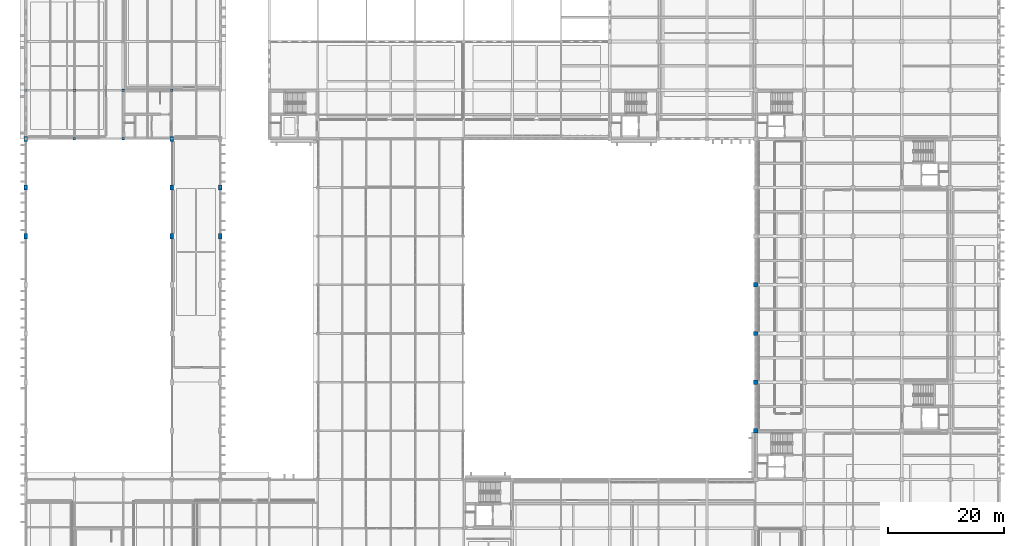
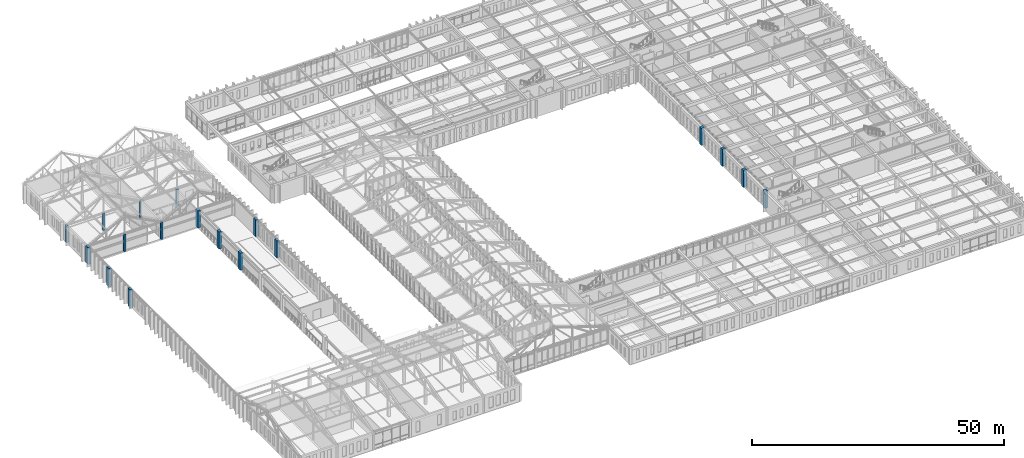
# One storey, part 8 of 192: 18 columns.
"""IFC4 building model written with IfcOpenShell, lengths in metres."""

import ifcopenshell
import ifcopenshell.guid

model = None  # the IFC model being written
_history = None  # IfcOwnerHistory: only IFC2X3 demands one
_inside = {}  # id of a spatial element -> (the spatial element, [elements in it])
_under = {}  # id of a project, library or spatial element -> (it, [spatial elements below it])
_declared = {}  # id of a project -> (the project, [libraries it declares])
_typed = {}  # id of a type object -> (the type object, [elements of that type])
_made_of = {}  # id of a material, layer set ... -> (it, [elements and type objects made of it])


def new_model(schema):
    """Start an empty IFC model of exactly this schema.

    Asked for "IFC4X3", IfcOpenShell would pick the latest addendum, in which some entities
    have other attributes; the version numbers below select the first issue.
    IFC2X3 requires an IfcOwnerHistory on every rooted entity: one is made here for all.
    """
    global model, _history
    if schema == "IFC4X3":
        model = ifcopenshell.file(schema_version=(4, 3, 0, 0))
    else:
        model = ifcopenshell.file(schema=schema)
    _inside.clear()
    _under.clear()
    _declared.clear()
    _typed.clear()
    _made_of.clear()
    _history = None
    if model.schema == "IFC2X3":
        org = make("IfcOrganization", Name="unknown")
        user = make(
            "IfcPersonAndOrganization",
            ThePerson=make("IfcPerson", FamilyName="unknown"),
            TheOrganization=org,
        )
        app = make(
            "IfcApplication",
            ApplicationDeveloper=org,
            Version="unknown",
            ApplicationFullName="unknown",
            ApplicationIdentifier="unknown",
        )
        _history = make(
            "IfcOwnerHistory",
            OwningUser=user,
            OwningApplication=app,
            ChangeAction="ADDED",
            CreationDate=0,
        )
    return model


def make(cls, **values):
    """One entity of the class cls with the attributes given. An attribute that is None is left unset."""
    return model.create_entity(
        cls, **{name: value for name, value in values.items() if value is not None}
    )


def rooted(cls, **values):
    """An entity with a GlobalId (a new one), such as an element, a storey or a relation."""
    return make(cls, GlobalId=ifcopenshell.guid.new(), OwnerHistory=_history, **values)


def si_unit(unit_type, name, prefix=None):
    """IfcSIUnit, for example si_unit("LENGTHUNIT", "METRE", prefix="MILLI")."""
    return make("IfcSIUnit", UnitType=unit_type, Prefix=prefix, Name=name)


def assignment(units):
    """IfcUnitAssignment: the units of a project."""
    return None if units is None else make("IfcUnitAssignment", Units=units)


def point(xyz):
    """IfcCartesianPoint."""
    return None if xyz is None else make("IfcCartesianPoint", Coordinates=xyz)


def direction(xyz):
    """IfcDirection."""
    return None if xyz is None else make("IfcDirection", DirectionRatios=xyz)


def frame(location, z_axis=None, x_axis=None):
    """IfcAxis2Placement3D, a coordinate frame: its origin and axes. An axis left out is left unset."""
    return make(
        "IfcAxis2Placement3D",
        Location=point(location),
        Axis=direction(z_axis),
        RefDirection=direction(x_axis),
    )


def frame_2d(location, x_axis=None):
    """IfcAxis2Placement2D, a coordinate frame in the plane: its origin and x axis."""
    return make(
        "IfcAxis2Placement2D", Location=point(location), RefDirection=direction(x_axis)
    )


def origin():
    """The frame at (0, 0, 0) with its axes left unset."""
    return frame((0.0, 0.0, 0.0))


def origin_2d():
    """The frame at (0, 0) in the plane with its x axis left unset."""
    return frame_2d((0.0, 0.0))


def place(relative_to, where):
    """IfcLocalPlacement: puts the frame where relative to a parent placement (None: the world)."""
    return make(
        "IfcLocalPlacement", PlacementRelTo=relative_to, RelativePlacement=where
    )


def context(
    kind, dimensions, precision=None, world=None, true_north=None, identifier=None
):
    """IfcGeometricRepresentationContext, for example the 3D "Model" context."""
    return make(
        "IfcGeometricRepresentationContext",
        ContextIdentifier=identifier,
        ContextType=kind,
        CoordinateSpaceDimension=dimensions,
        Precision=precision,
        WorldCoordinateSystem=world,
        TrueNorth=true_north,
    )


def subcontext(parent, identifier, kind, view, scale=None):
    """IfcGeometricRepresentationSubContext, for example "Body" below "Model"."""
    return make(
        "IfcGeometricRepresentationSubContext",
        ContextIdentifier=identifier,
        ContextType=kind,
        ParentContext=parent,
        TargetScale=scale,
        TargetView=view,
    )


def project(units=None, contexts=None):
    """IfcProject with its units and contexts."""
    return rooted(
        "IfcProject",
        Name="project",
        RepresentationContexts=contexts,
        UnitsInContext=assignment(units),
    )


def spatial(cls, under=None, at=None, **own):
    """A site, building, storey or space (cls), placed at a placement, below another one or the project."""
    s = rooted(cls, ObjectPlacement=at, **own)
    if under is not None:
        _under.setdefault(under.id(), (under, []))[1].append(s)
    return s


def profile(cls, at=None, kind="AREA", **sizes):
    """A parametric profile (cls). Its sizes go by their IFC names, for example OverallWidth=200.0."""
    return make(cls, ProfileType=kind, Position=at, **sizes)


def rectangle(**sizes):
    """IfcRectangleProfileDef."""
    return profile("IfcRectangleProfileDef", **sizes)


def extrude(swept, where, along, depth):
    """IfcExtrudedAreaSolid: the profile swept, set in the frame where, extruded along a direction by depth."""
    return make(
        "IfcExtrudedAreaSolid",
        SweptArea=swept,
        Position=where,
        ExtrudedDirection=direction(along),
        Depth=depth,
    )


def shape(context_of_items, identifier, shape_type, items):
    """IfcShapeRepresentation: the items that make up one representation, for example the "Body"."""
    return make(
        "IfcShapeRepresentation",
        ContextOfItems=context_of_items,
        RepresentationIdentifier=identifier,
        RepresentationType=shape_type,
        Items=items,
    )


def material(Name=None, Category=None):
    """IfcMaterial."""
    return make("IfcMaterial", Name=Name, Category=Category)


def material_profile(
    of_material, cross_section, Name=None, Category=None, Priority=None
):
    """IfcMaterialProfile: a cross section and its material."""
    return make(
        "IfcMaterialProfile",
        Name=Name,
        Material=of_material,
        Profile=cross_section,
        Priority=Priority,
        Category=Category,
    )


def profile_set(profiles, Name=None, composite=None):
    """IfcMaterialProfileSet."""
    return make(
        "IfcMaterialProfileSet",
        Name=Name,
        MaterialProfiles=profiles,
        CompositeProfile=composite,
    )


def made_of(thing, what):
    """Note that an element or type object is made of a material, layer set ...; save() writes the relation."""
    if what is not None:
        _made_of.setdefault(what.id(), (what, []))[1].append(thing)
    return thing


def type_object(cls, material=None, **own):
    """A type object (cls), such as IfcWallType, which elements share."""
    return made_of(rooted(cls, **own), material)


def element(
    cls,
    number,
    at=None,
    inside=None,
    cuts=None,
    type_object=None,
    material=None,
    context=None,
    identifier="Body",
    shape_type=None,
    held_by="IfcProductDefinitionShape",
    body=None,
    shapes=None,
    **own,
):
    """One element of the class cls, such as IfcWall. Its Tag is "e" and its number.

    at: its placement. inside: the storey or other place that contains it. cuts: it is an
    opening in that element (IfcRelVoidsElement). A single representation is given by context,
    identifier, shape_type and body (its items); several are given by shapes. held_by: the class
    of the entity that holds the representations. save() writes the other relations.
    """
    e = rooted(cls, Tag="e%d" % number, ObjectPlacement=at, **own)
    if body is not None:
        shapes = [shape(context, identifier, shape_type, body)]
    if shapes is not None:
        e.Representation = make(held_by, Representations=shapes)
    if inside is not None:
        _inside.setdefault(inside.id(), (inside, []))[1].append(e)
    if cuts is not None:
        rooted(
            "IfcRelVoidsElement", RelatingBuildingElement=cuts, RelatedOpeningElement=e
        )
    if type_object is not None:
        _typed.setdefault(type_object.id(), (type_object, []))[1].append(e)
    return made_of(e, material)


def aggregate(whole, parts):
    """IfcRelAggregates: a whole, such as a stair, and the parts it consists of."""
    return rooted("IfcRelAggregates", RelatingObject=whole, RelatedObjects=parts)


def save(model, path):
    """Write the relations noted so far, then the file.

    IfcRelAggregates (storeys below a building ...), IfcRelContainedInSpatialStructure (elements
    in a storey), IfcRelDefinesByType, IfcRelAssociatesMaterial and IfcRelDeclares: one each for
    every whole, place, type object, material and project.
    """
    for whole, parts in _under.values():
        aggregate(whole, parts)
    for where, things in _inside.values():
        rooted(
            "IfcRelContainedInSpatialStructure",
            RelatedElements=things,
            RelatingStructure=where,
        )
    for kind, things in _typed.values():
        rooted("IfcRelDefinesByType", RelatedObjects=things, RelatingType=kind)
    for what, things in _made_of.values():
        rooted("IfcRelAssociatesMaterial", RelatedObjects=things, RelatingMaterial=what)
    for by, libraries in _declared.values():
        rooted("IfcRelDeclares", RelatingContext=by, RelatedDefinitions=libraries)
    model.write(path)


model = new_model("IFC4")

# Units and contexts
model_context = context("Model", 3, precision=1e-05, world=origin(), true_north=direction((0.0, 1.0)))
body_context = subcontext(model_context, "Body", "Model", "MODEL_VIEW")
ifc_project = project(units=[si_unit("LENGTHUNIT", "METRE"), si_unit("AREAUNIT", "SQUARE_METRE"), si_unit("VOLUMEUNIT", "CUBIC_METRE"), si_unit("PLANEANGLEUNIT", "RADIAN"), si_unit("MASSUNIT", "GRAM", prefix="KILO")], contexts=[model_context])

# Site, building, storey
site_placement = place(None, origin())
site = spatial("IfcSite", under=ifc_project, at=site_placement, CompositionType="ELEMENT")
building_placement = place(site_placement, origin())
building = spatial("IfcBuilding", under=site, at=building_placement, Name="Kveldsbrygga Polytechnic", CompositionType="ELEMENT")
storey_placement = place(building_placement, frame((0.0, 0.0, 5.43994140625)))
storey = spatial("IfcBuildingStorey", under=building, at=storey_placement, Name="L01", CompositionType="ELEMENT", Elevation=5.43994140625)

# Columns
ifc_material = material(Name="Concrete C45/55", Category="concrete")
ifc_material_profile_1 = material_profile(ifc_material, rectangle(XDim=0.60009765625, YDim=0.89990234375, at=origin_2d()), Name="RC 600x900")
ifc_profile_set_1 = profile_set([ifc_material_profile_1], Name="Concrete C45/55")
column_type_1 = type_object("IfcColumnType", Name="COL-CRANE-900", PredefinedType="COLUMN", material=ifc_profile_set_1)
for number, where, z_axis, x_axis, name in (
    (1, (0.0, 67.199951171875, -0.300048828125), (0.0, 0.0, 1.0), (1.0, 0.0, 0.0), "Column COL-L01-00-08"),
    (2, (0.0, 75.60009765625, -0.300048828125), (0.0, 0.0, 1.0), (1.0, 0.0, 0.0), "Column COL-L01-00-09"),
):
    element("IfcColumn", number, at=place(storey_placement, frame(where, z_axis=z_axis, x_axis=x_axis)), inside=storey, type_object=column_type_1, Name=name, PredefinedType="COLUMN", context=body_context, shape_type="SweptSolid", body=[
        extrude(rectangle(XDim=0.60009765625, YDim=0.89990234375, at=origin_2d()), origin(), (0.0, 0.0, 1.0), 4.420166015625),
    ])
for number, where, z_axis, x_axis, name in (
    (3, (0.0, 84.0, 0.0), (0.0, 0.0, 1.0), (1.0, 0.0, 0.0), "Column COL-L01-00-10"),
    (4, (25.199951171875, 67.199951171875, 0.0), (0.0, 0.0, 1.0), (1.0, 0.0, 0.0), "Column COL-L01-03-08"),
    (5, (25.199951171875, 75.60009765625, 0.0), (0.0, 0.0, 1.0), (1.0, 0.0, 0.0), "Column COL-L01-03-09"),
    (6, (25.199951171875, 84.0, 0.0), (0.0, 0.0, 1.0), (1.0, 0.0, 0.0), "Column COL-L01-03-10"),
    (7, (33.60009765625, 67.199951171875, 0.0), (0.0, 0.0, 1.0), (1.0, 0.0, 0.0), "Column COL-L01-04-08"),
    (8, (33.60009765625, 75.60009765625, 0.0), (0.0, 0.0, 1.0), (1.0, 0.0, 0.0), "Column COL-L01-04-09"),
):
    element("IfcColumn", number, at=place(storey_placement, frame(where, z_axis=z_axis, x_axis=x_axis)), inside=storey, type_object=column_type_1, Name=name, PredefinedType="COLUMN", context=body_context, shape_type="SweptSolid", body=[
        extrude(rectangle(XDim=0.60009765625, YDim=0.89990234375, at=origin_2d()), origin(), (0.0, 0.0, 1.0), 4.1201171875),
    ])
ifc_material_profile_2 = material_profile(ifc_material, rectangle(XDim=0.39990234375, YDim=0.39990234375, at=origin_2d()), Name="RC 400x400")
ifc_profile_set_2 = profile_set([ifc_material_profile_2], Name="Concrete C45/55")
column_type_2 = type_object("IfcColumnType", Name="COL-RC-400", PredefinedType="COLUMN", material=ifc_profile_set_2)
column_1_placement = place(storey_placement, frame((16.800048828125, 92.39990234375, 0.0), z_axis=(0.0, 0.0, 1.0), x_axis=(1.0, 0.0, 0.0)))
element("IfcColumn", 9, at=column_1_placement, inside=storey, type_object=column_type_2, Name="Column COL-L01-02-11", PredefinedType="COLUMN", context=body_context, shape_type="SweptSolid", body=[
    extrude(rectangle(XDim=0.39990234375, YDim=0.39990234375, at=origin_2d()), origin(), (0.0, 0.0, 1.0), 4.1201171875),
])
ifc_material_profile_3 = material_profile(ifc_material, rectangle(XDim=0.419921875, YDim=0.419921875, at=origin_2d()), Name="RC 420x420")
ifc_profile_set_3 = profile_set([ifc_material_profile_3], Name="Concrete C45/55")
column_type_3 = type_object("IfcColumnType", Name="COL-RC-420", PredefinedType="COLUMN", material=ifc_profile_set_3)
column_2_placement = place(storey_placement, frame((8.39990234375, 84.0, 0.0), z_axis=(0.0, 0.0, 1.0), x_axis=(1.0, 0.0, 0.0)))
element("IfcColumn", 10, at=column_2_placement, inside=storey, type_object=column_type_3, Name="Column COL-L01-01-10", PredefinedType="COLUMN", context=body_context, shape_type="SweptSolid", body=[
    extrude(rectangle(XDim=0.419921875, YDim=0.419921875, at=origin_2d()), origin(), (0.0, 0.0, 1.0), 4.1201171875),
])
ifc_material_profile_4 = material_profile(ifc_material, rectangle(XDim=0.449951171875, YDim=0.449951171875, at=origin_2d()), Name="RC 450x450")
ifc_profile_set_4 = profile_set([ifc_material_profile_4], Name="Concrete C45/55")
column_type_4 = type_object("IfcColumnType", Name="COL-RC-450", PredefinedType="COLUMN", material=ifc_profile_set_4)
for number, where, z_axis, x_axis, name in (
    (11, (8.39990234375, 92.39990234375, 0.0), (0.0, 0.0, 1.0), (1.0, 0.0, 0.0), "Column COL-L01-01-11"),
    (12, (16.800048828125, 84.0, 0.0), (0.0, 0.0, 1.0), (1.0, 0.0, 0.0), "Column COL-L01-02-10"),
):
    element("IfcColumn", number, at=place(storey_placement, frame(where, z_axis=z_axis, x_axis=x_axis)), inside=storey, type_object=column_type_4, Name=name, PredefinedType="COLUMN", context=body_context, shape_type="SweptSolid", body=[
        extrude(rectangle(XDim=0.449951171875, YDim=0.449951171875, at=origin_2d()), origin(), (0.0, 0.0, 1.0), 4.1201171875),
    ])
ifc_material_profile_5 = material_profile(ifc_material, rectangle(XDim=0.47998046875, YDim=0.47998046875, at=origin_2d()), Name="RC 480x480")
ifc_profile_set_5 = profile_set([ifc_material_profile_5], Name="Concrete C45/55")
column_type_5 = type_object("IfcColumnType", Name="COL-RC-480", PredefinedType="COLUMN", material=ifc_profile_set_5)
for number, where, z_axis, x_axis, name in (
    (13, (0.0, 92.39990234375, 0.0), (0.0, 0.0, 1.0), (1.0, 0.0, 0.0), "Column COL-L01-00-11"),
    (14, (25.199951171875, 92.39990234375, 0.0), (0.0, 0.0, 1.0), (1.0, 0.0, 0.0), "Column COL-L01-03-11"),
):
    element("IfcColumn", number, at=place(storey_placement, frame(where, z_axis=z_axis, x_axis=x_axis)), inside=storey, type_object=column_type_5, Name=name, PredefinedType="COLUMN", context=body_context, shape_type="SweptSolid", body=[
        extrude(rectangle(XDim=0.47998046875, YDim=0.47998046875, at=origin_2d()), origin(), (0.0, 0.0, 1.0), 4.1201171875),
    ])
ifc_material_profile_6 = material_profile(ifc_material, rectangle(XDim=0.719970703125, YDim=0.719970703125, at=origin_2d()), Name="RC 720x720")
ifc_profile_set_6 = profile_set([ifc_material_profile_6], Name="Concrete C45/55")
column_type_6 = type_object("IfcColumnType", Name="COL-RC-720", PredefinedType="COLUMN", material=ifc_profile_set_6)
for number, where, z_axis, x_axis, name in (
    (15, (126.0, 33.60009765625, 0.0), (0.0, 0.0, 1.0), (1.0, 0.0, 0.0), "Column COL-L01-15-04"),
    (16, (126.0, 50.39990234375, 0.0), (0.0, 0.0, 1.0), (1.0, 0.0, 0.0), "Column COL-L01-15-06"),
):
    element("IfcColumn", number, at=place(storey_placement, frame(where, z_axis=z_axis, x_axis=x_axis)), inside=storey, type_object=column_type_6, Name=name, PredefinedType="COLUMN", context=body_context, shape_type="SweptSolid", body=[
        extrude(rectangle(XDim=0.719970703125, YDim=0.719970703125, at=origin_2d()), origin(), (0.0, 0.0, 1.0), 4.1201171875),
    ])
ifc_material_profile_7 = material_profile(ifc_material, rectangle(XDim=0.75, YDim=0.75, at=origin_2d()), Name="RC 750x750")
ifc_profile_set_7 = profile_set([ifc_material_profile_7], Name="Concrete C45/55")
column_type_7 = type_object("IfcColumnType", Name="COL-RC-750", PredefinedType="COLUMN", material=ifc_profile_set_7)
for number, where, z_axis, x_axis, name in (
    (17, (126.0, 42.0, 0.0), (0.0, 0.0, 1.0), (1.0, 0.0, 0.0), "Column COL-L01-15-05"),
    (18, (126.0, 58.800048828125, 0.0), (0.0, 0.0, 1.0), (1.0, 0.0, 0.0), "Column COL-L01-15-07"),
):
    element("IfcColumn", number, at=place(storey_placement, frame(where, z_axis=z_axis, x_axis=x_axis)), inside=storey, type_object=column_type_7, Name=name, PredefinedType="COLUMN", context=body_context, shape_type="SweptSolid", body=[
        extrude(rectangle(XDim=0.75, YDim=0.75, at=origin_2d()), origin(), (0.0, 0.0, 1.0), 4.1201171875),
    ])

save(model, "model.ifc")
